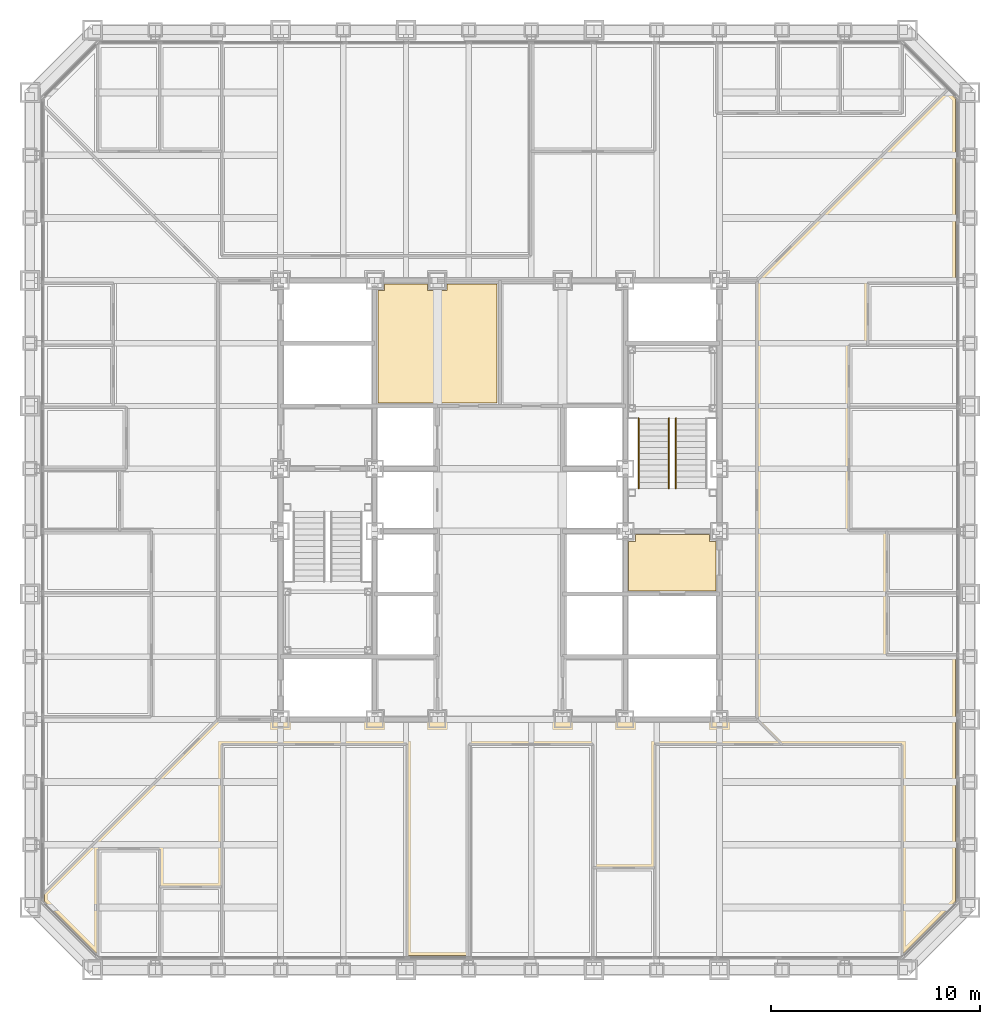
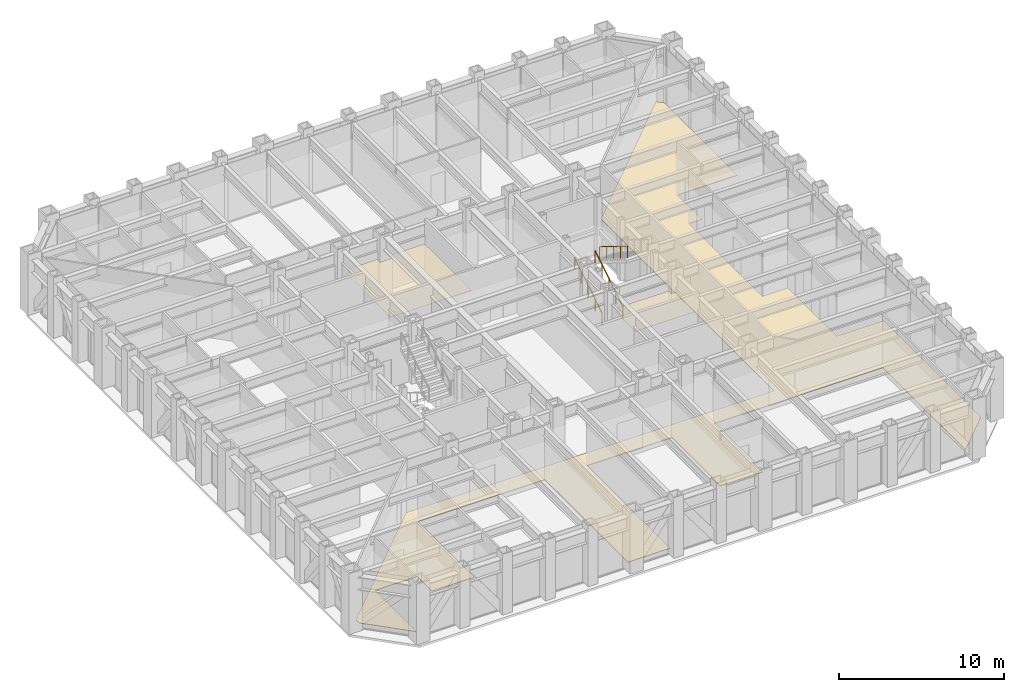
# One storey, part 15 of 17: 3 coverings, 3 railings.
"""IFC4 building model written with IfcOpenShell, lengths in metres."""

from ifc_helpers import new_model, si_unit, direction, frame, origin, origin_2d, place, context, subcontext, project, spatial, polyline, circle, outline, extrude, material, layer, layer_set, type_object, element, save


model = new_model("IFC4")

# Units and contexts
model_context = context("Model", 3, precision=1e-05, world=origin(), true_north=direction((0.0, 1.0)))
body_context = subcontext(model_context, "Body", "Model", "MODEL_VIEW")
ifc_project = project(units=[si_unit("LENGTHUNIT", "METRE"), si_unit("AREAUNIT", "SQUARE_METRE"), si_unit("VOLUMEUNIT", "CUBIC_METRE"), si_unit("PLANEANGLEUNIT", "RADIAN"), si_unit("MASSUNIT", "GRAM", prefix="KILO")], contexts=[model_context])

# Site, building, storey
site_placement = place(None, origin())
site = spatial("IfcSite", under=ifc_project, at=site_placement, CompositionType="ELEMENT")
building_placement = place(site_placement, origin())
building = spatial("IfcBuilding", under=site, at=building_placement, Name="Chuquiago Exchange Tower", CompositionType="ELEMENT")
storey_placement = place(building_placement, frame((0.0, 0.0, 64.800048828125)))
storey = spatial("IfcBuildingStorey", under=building, at=storey_placement, Name="L13", CompositionType="ELEMENT", Elevation=64.800048828125)

# Coverings
ifc_material_1 = material(Name="Moisture resistant plasterboard on metal frame", Category="gypsum")
ifc_layer_1 = layer(ifc_material_1, 0.014892578125)
ifc_layer_set_1 = layer_set([ifc_layer_1], Name="CL2 moisture resistant ceiling 15")
covering_type_1 = type_object("IfcCoveringType", Name="CL2 moisture resistant ceiling 15", PredefinedType="CEILING", material=ifc_layer_set_1)
covering_1_placement = place(storey_placement, frame((0.0, 0.0, 2.599853515625)))
element("IfcCovering", 1, at=covering_1_placement, inside=storey, type_object=covering_type_1, Name="Ceiling Male WC", PredefinedType="CEILING", context=body_context, shape_type="SweptSolid", body=[
    extrude(outline(polyline([(16.64990234375, 27.14990234375), (16.64990234375, 32.52490234375), (16.97509765625, 32.52490234375), (16.97509765625, 32.85009765625), (19.02490234375, 32.85009765625), (19.02490234375, 32.52490234375), (19.97509765625, 32.52490234375), (19.97509765625, 32.85009765625), (22.35009765625, 32.85009765625), (22.35009765625, 27.14990234375), (16.64990234375, 27.14990234375)])), origin(), (0.0, 0.0, 1.0), 0.01513671875),
])
ifc_material_2 = material(Name="Pale metal plank ceiling, perforated", Category="aluminium")
ifc_layer_2 = layer(ifc_material_2, 0.030029296875)
ifc_layer_set_2 = layer_set([ifc_layer_2], Name="CL3 metal plank ceiling 30")
covering_type_2 = type_object("IfcCoveringType", Name="CL3 metal plank ceiling 30", PredefinedType="CEILING", material=ifc_layer_set_2)
covering_2_placement = place(storey_placement, frame((0.0, 0.0, 2.800048828125)))
element("IfcCovering", 2, at=covering_2_placement, inside=storey, type_object=covering_type_2, Name="Ceiling Firefighting lobby", PredefinedType="CEILING", context=body_context, shape_type="SweptSolid", body=[
    extrude(outline(polyline([(28.64990234375, 18.14990234375), (28.64990234375, 20.52490234375), (28.97509765625, 20.52490234375), (28.97509765625, 20.85009765625), (32.52490234375, 20.85009765625), (32.52490234375, 20.52490234375), (32.85009765625, 20.52490234375), (32.85009765625, 18.14990234375), (28.64990234375, 18.14990234375)])), origin(), (0.0, 0.0, 1.0), 0.02978515625),
])

# Railings
ifc_material_3 = material(Name="Pale metal handrail", Category="steel")
railing_type = type_object("IfcRailingType", Name="HR1 handrail 900", PredefinedType="HANDRAIL", material=ifc_material_3)
for number, where, name in (
    (3, (30.5849609375, 23.050048828125, 0.173095703125), "Handrail ST2 L13 flight 1"),
    (4, (29.135009765625, 23.050048828125, 0.173095703125), "Handrail ST2 L13 flight 1"),
):
    element("IfcRailing", number, at=place(storey_placement, frame(where)), inside=storey, type_object=railing_type, Name=name, PredefinedType="HANDRAIL", context=body_context, shape_type="SweptSolid", body=[
        extrude(circle(Radius=0.02392578125, at=origin_2d()), frame((0.0, 0.0, 0.8759765625), z_axis=(0.0, 0.850606129759, 0.525803396734), x_axis=(-1.0, 0.0, 0.0)), (0.0, 0.0, 1.0), 3.949951171875),
        extrude(circle(Radius=0.02099609375, at=origin_2d()), origin(), (0.0, 0.0, 1.0), 0.851806640625),
        extrude(circle(Radius=0.02099609375, at=origin_2d()), frame((0.0, 0.83984375, 0.519287109375)), (0.0, 0.0, 1.0), 0.851806640625),
        extrude(circle(Radius=0.02099609375, at=origin_2d()), frame((0.0, 1.679931640625, 1.03857421875)), (0.0, 0.0, 1.0), 0.851806640625),
        extrude(circle(Radius=0.02099609375, at=origin_2d()), frame((0.0, 2.52001953125, 1.5576171875)), (0.0, 0.0, 1.0), 0.851806640625),
        extrude(circle(Radius=0.02099609375, at=origin_2d()), frame((0.0, 3.35986328125, 2.076904296875)), (0.0, 0.0, 1.0), 0.851806640625),
    ])
railing_placement = place(storey_placement, frame((30.9150390625, 26.409912109375, 2.423095703125)))
element("IfcRailing", 5, at=railing_placement, inside=storey, type_object=railing_type, Name="Handrail ST2 L13 flight 2", PredefinedType="HANDRAIL", context=body_context, shape_type="SweptSolid", body=[
    extrude(circle(Radius=0.02392578125, at=origin_2d()), frame((0.0, 0.0, 0.8759765625), z_axis=(0.0, -0.850606129759, 0.525803396734), x_axis=(1.0, 0.0, 0.0)), (0.0, 0.0, 1.0), 3.949951171875),
    extrude(circle(Radius=0.02099609375, at=origin_2d()), origin(), (0.0, 0.0, 1.0), 0.851806640625),
    extrude(circle(Radius=0.02099609375, at=origin_2d()), frame((0.0, -0.83984375, 0.519287109375)), (0.0, 0.0, 1.0), 0.851806640625),
    extrude(circle(Radius=0.02099609375, at=origin_2d()), frame((0.0, -1.679931640625, 1.03857421875)), (0.0, 0.0, 1.0), 0.851806640625),
    extrude(circle(Radius=0.02099609375, at=origin_2d()), frame((0.0, -2.52001953125, 1.5576171875)), (0.0, 0.0, 1.0), 0.851806640625),
    extrude(circle(Radius=0.02099609375, at=origin_2d()), frame((0.0, -3.35986328125, 2.076904296875)), (0.0, 0.0, 1.0), 0.851806640625),
])

# Covering
ifc_material_4 = material(Name="Steel raised floor panel", Category="steel")
ifc_layer_3 = layer(ifc_material_4, 0.0400390625)
ifc_layer_set_3 = layer_set([ifc_layer_3], Name="RF1 raised access floor 40")
covering_type_3 = type_object("IfcCoveringType", Name="RF1 raised access floor 40", PredefinedType="FLOORING", material=ifc_layer_set_3)
covering_3_placement = place(storey_placement, frame((0.0, 0.0, -0.0400390625)))
element("IfcCovering", 6, at=covering_3_placement, inside=storey, type_object=covering_type_3, Name="Raised access floor Trading floor east", PredefinedType="FLOORING", context=body_context, shape_type="SweptSolid", body=[
    extrude(outline(polyline([(44.300048828125, 41.710205078125), (44.300048828125, 32.8662109375), (40.10009765625, 32.8662109375), (40.10009765625, 29.904296875), (39.199951171875, 29.904296875), (39.199951171875, 21.01904296875), (41.0, 21.01904296875), (41.0, 15.095703125), (44.300048828125, 15.095703125), (44.300048828125, 3.289794921875), (41.75146484375, 0.741455078125), (41.75146484375, 10.800048828125), (29.904296875, 10.800048828125), (29.904296875, 4.89990234375), (26.942626953125, 4.89990234375), (26.942626953125, 10.800048828125), (21.01904296875, 10.800048828125), (21.01904296875, 0.699951171875), (18.057373046875, 0.699951171875), (18.057373046875, 10.800048828125), (9.172119140625, 10.800048828125), (9.172119140625, 4.0), (6.210205078125, 4.0), (6.210205078125, 5.800048828125), (3.24853515625, 5.800048828125), (3.24853515625, 0.741455078125), (0.699951171875, 3.289794921875), (0.699951171875, 3.69921875), (9.00048828125, 12.0), (34.800048828125, 12.0), (34.800048828125, 32.99951171875), (43.905517578125, 42.104736328125), (44.300048828125, 41.710205078125)])), origin(), (0.0, 0.0, 1.0), 0.0400390625),
])

save(model, "model.ifc")
